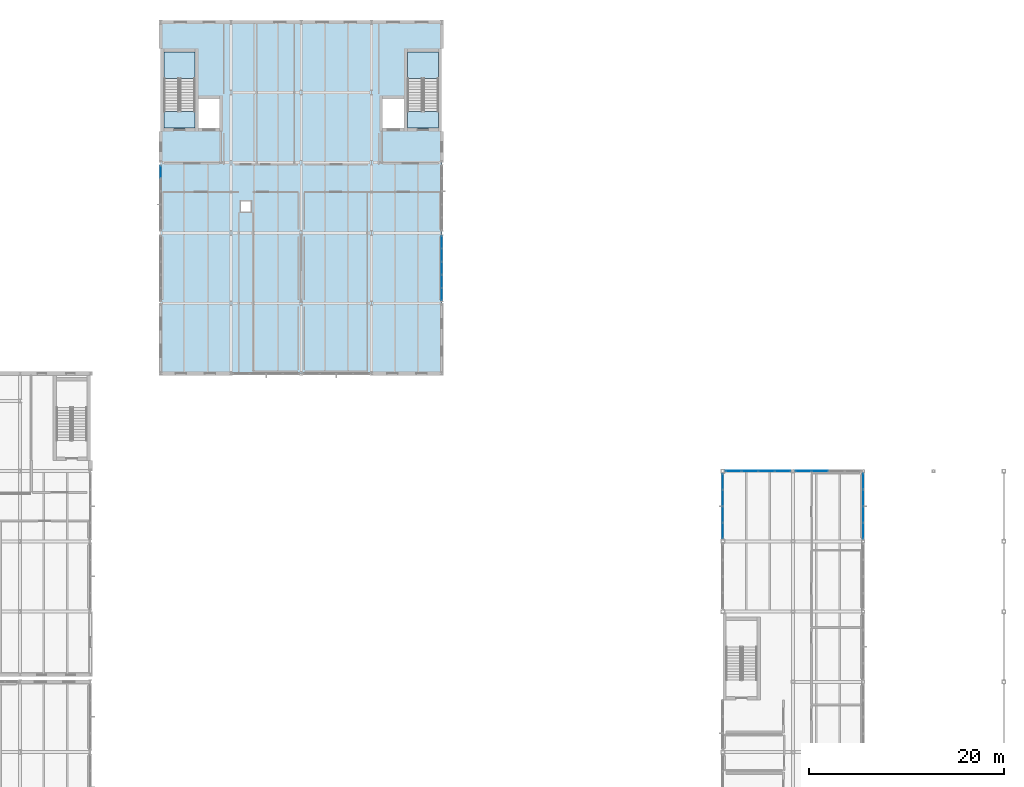
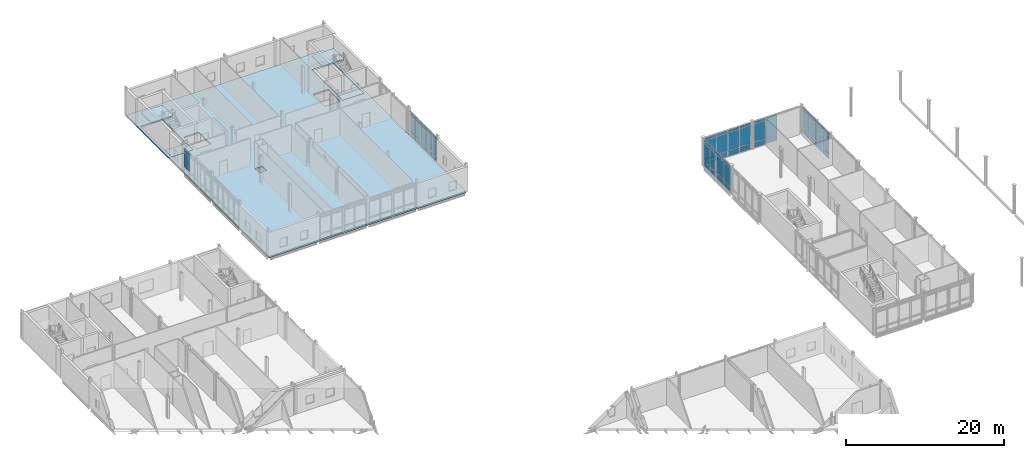
# One storey, part 41 of 76: 59 plates, 5 slabs, 8 elements without a shape of their own.
"""IFC4 building model written with IfcOpenShell, lengths in metres."""

from ifc_helpers import new_model, si_unit, direction, frame, origin, origin_2d, place, context, subcontext, project, spatial, polyline, rectangle, outline, extrude, material, layer, layer_set, type_object, element, aggregate, save


model = new_model("IFC4")

# Units and contexts
model_context = context("Model", 3, precision=1e-05, world=origin(), true_north=direction((0.0, 1.0)))
body_context = subcontext(model_context, "Body", "Model", "MODEL_VIEW")
ifc_project = project(units=[si_unit("LENGTHUNIT", "METRE"), si_unit("AREAUNIT", "SQUARE_METRE"), si_unit("VOLUMEUNIT", "CUBIC_METRE"), si_unit("PLANEANGLEUNIT", "RADIAN"), si_unit("MASSUNIT", "GRAM", prefix="KILO")], contexts=[model_context])

# Site, building, storey
site_placement = place(None, origin())
site = spatial("IfcSite", under=ifc_project, at=site_placement, CompositionType="ELEMENT")
building_placement = place(site_placement, origin())
building = spatial("IfcBuilding", under=site, at=building_placement, Name="Zarrinpeak Specialist Clinic", CompositionType="ELEMENT")
storey_placement = place(building_placement, frame((0.0, 0.0, 5.199951171875)))
storey = spatial("IfcBuildingStorey", under=building, at=storey_placement, Name="L01", CompositionType="ELEMENT", Elevation=5.199951171875)

# Curtain wall, plates
ifc_material_1 = material(Name="Anodised Aluminium Alloy 6063-T6", Category="aluminium")
ifc_layer_1 = layer(ifc_material_1, 0.199951171875)
ifc_layer_set_1 = layer_set([ifc_layer_1], Name="Anodised Aluminium Alloy 6063-T6")
curtain_wall_type_1 = type_object("IfcCurtainWallType", Name="CW-HALL", PredefinedType="NOTDEFINED", material=ifc_layer_set_1)
curtain_wall_1_placement = place(storey_placement, origin())
curtain_wall_1 = element("IfcCurtainWall", 1, at=curtain_wall_1_placement, inside=storey, type_object=curtain_wall_type_1, Name="L01 V3 Unitised Curtain Wall CW-L01-V3-100", PredefinedType="NOTDEFINED")
ifc_material_2 = material(Name="Double Low-E Insulated Glazing", Category="glass")
ifc_layer_2 = layer(ifc_material_2, 0.028076171875)
ifc_layer_set_2 = layer_set([ifc_layer_2], Name="Double Low-E Insulated Glazing")
plate_type_1 = type_object("IfcPlateType", Name="CWP-GLZ28", PredefinedType="CURTAIN_PANEL", material=ifc_layer_set_2)
plate_1_placement = place(storey_placement, frame((103.546630859375, 72.0, 0.09033203125), z_axis=(0.0, 0.0, 1.0), x_axis=(-1.0, 0.0, 0.0)))
plate_1 = element("IfcPlate", 2, at=plate_1_placement, type_object=plate_type_1, Name="CW-02 panel 3.1", PredefinedType="CURTAIN_PANEL", context=body_context, shape_type="SweptSolid", body=[
    extrude(rectangle(XDim=1.616455078125, YDim=0.028076171875, at=origin_2d()), origin(), (0.0, 0.0, 1.0), 0.764892578125),
])
plate_2_placement = place(storey_placement, frame((103.546630859375, 72.0, 0.945068359375), z_axis=(0.0, 0.0, 1.0), x_axis=(-1.0, 0.0, 0.0)))
plate_2 = element("IfcPlate", 3, at=plate_2_placement, type_object=plate_type_1, Name="CW-02 panel 3.2", PredefinedType="CURTAIN_PANEL", context=body_context, shape_type="SweptSolid", body=[
    extrude(rectangle(XDim=1.616455078125, YDim=0.028076171875, at=origin_2d()), origin(), (0.0, 0.0, 1.0), 2.7451171875),
])
plate_3_placement = place(storey_placement, frame((103.546630859375, 72.0, 3.780029296875), z_axis=(0.0, 0.0, 1.0), x_axis=(-1.0, 0.0, 0.0)))
plate_3 = element("IfcPlate", 4, at=plate_3_placement, type_object=plate_type_1, Name="CW-02 panel 3.3", PredefinedType="CURTAIN_PANEL", context=body_context, shape_type="SweptSolid", body=[
    extrude(rectangle(XDim=1.616455078125, YDim=0.028076171875, at=origin_2d()), origin(), (0.0, 0.0, 1.0), 0.31494140625),
])
plate_4_placement = place(storey_placement, frame((101.86279296875, 72.0, 0.09033203125), z_axis=(0.0, 0.0, 1.0), x_axis=(-1.0, 0.0, 0.0)))
plate_4 = element("IfcPlate", 5, at=plate_4_placement, type_object=plate_type_1, Name="CW-02 panel 4.1", PredefinedType="CURTAIN_PANEL", context=body_context, shape_type="SweptSolid", body=[
    extrude(rectangle(XDim=1.571533203125, YDim=0.028076171875, at=origin_2d()), origin(), (0.0, 0.0, 1.0), 0.764892578125),
])
plate_5_placement = place(storey_placement, frame((101.86279296875, 72.0, 0.945068359375), z_axis=(0.0, 0.0, 1.0), x_axis=(-1.0, 0.0, 0.0)))
plate_5 = element("IfcPlate", 6, at=plate_5_placement, type_object=plate_type_1, Name="CW-02 panel 4.2", PredefinedType="CURTAIN_PANEL", context=body_context, shape_type="SweptSolid", body=[
    extrude(rectangle(XDim=1.571533203125, YDim=0.028076171875, at=origin_2d()), origin(), (0.0, 0.0, 1.0), 2.7451171875),
])
plate_6_placement = place(storey_placement, frame((101.86279296875, 72.0, 3.780029296875), z_axis=(0.0, 0.0, 1.0), x_axis=(-1.0, 0.0, 0.0)))
plate_6 = element("IfcPlate", 7, at=plate_6_placement, type_object=plate_type_1, Name="CW-02 panel 4.3", PredefinedType="CURTAIN_PANEL", context=body_context, shape_type="SweptSolid", body=[
    extrude(rectangle(XDim=1.571533203125, YDim=0.028076171875, at=origin_2d()), origin(), (0.0, 0.0, 1.0), 0.31494140625),
])
aggregate(curtain_wall_1, [plate_1, plate_2, plate_3, plate_4, plate_5, plate_6])

curtain_wall_2_placement = place(storey_placement, origin())
curtain_wall_2 = element("IfcCurtainWall", 8, at=curtain_wall_2_placement, inside=storey, type_object=curtain_wall_type_1, Name="L01 V3 Unitised Curtain Wall CW-L01-V3-104", PredefinedType="NOTDEFINED")
plate_7_placement = place(storey_placement, frame((93.60009765625, 70.90625, 0.09033203125), z_axis=(0.0, 0.0, 1.0), x_axis=(0.0, -1.0, 0.0)))
plate_7 = element("IfcPlate", 9, at=plate_7_placement, type_object=plate_type_1, Name="CW-02 panel 1.1", PredefinedType="CURTAIN_PANEL", context=body_context, shape_type="SweptSolid", body=[
    extrude(rectangle(XDim=1.55078125, YDim=0.028076171875, at=origin_2d()), origin(), (0.0, 0.0, 1.0), 0.764892578125),
])
plate_8_placement = place(storey_placement, frame((93.60009765625, 70.90625, 0.945068359375), z_axis=(0.0, 0.0, 1.0), x_axis=(0.0, -1.0, 0.0)))
plate_8 = element("IfcPlate", 10, at=plate_8_placement, type_object=plate_type_1, Name="CW-02 panel 1.2", PredefinedType="CURTAIN_PANEL", context=body_context, shape_type="SweptSolid", body=[
    extrude(rectangle(XDim=1.55078125, YDim=0.028076171875, at=origin_2d()), origin(), (0.0, 0.0, 1.0), 2.7451171875),
])
plate_9_placement = place(storey_placement, frame((93.60009765625, 70.90625, 3.780029296875), z_axis=(0.0, 0.0, 1.0), x_axis=(0.0, -1.0, 0.0)))
plate_9 = element("IfcPlate", 11, at=plate_9_placement, type_object=plate_type_1, Name="CW-02 panel 1.3", PredefinedType="CURTAIN_PANEL", context=body_context, shape_type="SweptSolid", body=[
    extrude(rectangle(XDim=1.55078125, YDim=0.028076171875, at=origin_2d()), origin(), (0.0, 0.0, 1.0), 0.31494140625),
])
plate_10_placement = place(storey_placement, frame((93.60009765625, 69.242919921875, 0.09033203125), z_axis=(0.0, 0.0, 1.0), x_axis=(0.0, -1.0, 0.0)))
plate_10 = element("IfcPlate", 12, at=plate_10_placement, type_object=plate_type_1, Name="CW-02 panel 2.1", PredefinedType="CURTAIN_PANEL", context=body_context, shape_type="SweptSolid", body=[
    extrude(rectangle(XDim=1.595947265625, YDim=0.028076171875, at=origin_2d()), origin(), (0.0, 0.0, 1.0), 0.764892578125),
])
plate_11_placement = place(storey_placement, frame((93.60009765625, 69.242919921875, 0.945068359375), z_axis=(0.0, 0.0, 1.0), x_axis=(0.0, -1.0, 0.0)))
plate_11 = element("IfcPlate", 13, at=plate_11_placement, type_object=plate_type_1, Name="CW-02 panel 2.2", PredefinedType="CURTAIN_PANEL", context=body_context, shape_type="SweptSolid", body=[
    extrude(rectangle(XDim=1.595947265625, YDim=0.028076171875, at=origin_2d()), origin(), (0.0, 0.0, 1.0), 2.7451171875),
])
plate_12_placement = place(storey_placement, frame((93.60009765625, 69.242919921875, 3.780029296875), z_axis=(0.0, 0.0, 1.0), x_axis=(0.0, -1.0, 0.0)))
plate_12 = element("IfcPlate", 14, at=plate_12_placement, type_object=plate_type_1, Name="CW-02 panel 2.3", PredefinedType="CURTAIN_PANEL", context=body_context, shape_type="SweptSolid", body=[
    extrude(rectangle(XDim=1.595947265625, YDim=0.028076171875, at=origin_2d()), origin(), (0.0, 0.0, 1.0), 0.31494140625),
])
plate_13_placement = place(storey_placement, frame((93.60009765625, 67.55712890625, 0.09033203125), z_axis=(0.0, 0.0, 1.0), x_axis=(0.0, -1.0, 0.0)))
plate_13 = element("IfcPlate", 15, at=plate_13_placement, type_object=plate_type_1, Name="CW-02 panel 3.1", PredefinedType="CURTAIN_PANEL", context=body_context, shape_type="SweptSolid", body=[
    extrude(rectangle(XDim=1.595947265625, YDim=0.028076171875, at=origin_2d()), origin(), (0.0, 0.0, 1.0), 0.764892578125),
])
plate_14_placement = place(storey_placement, frame((93.60009765625, 67.55712890625, 0.945068359375), z_axis=(0.0, 0.0, 1.0), x_axis=(0.0, -1.0, 0.0)))
plate_14 = element("IfcPlate", 16, at=plate_14_placement, type_object=plate_type_1, Name="CW-02 panel 3.2", PredefinedType="CURTAIN_PANEL", context=body_context, shape_type="SweptSolid", body=[
    extrude(rectangle(XDim=1.595947265625, YDim=0.028076171875, at=origin_2d()), origin(), (0.0, 0.0, 1.0), 2.7451171875),
])
plate_15_placement = place(storey_placement, frame((93.60009765625, 67.55712890625, 3.780029296875), z_axis=(0.0, 0.0, 1.0), x_axis=(0.0, -1.0, 0.0)))
plate_15 = element("IfcPlate", 17, at=plate_15_placement, type_object=plate_type_1, Name="CW-02 panel 3.3", PredefinedType="CURTAIN_PANEL", context=body_context, shape_type="SweptSolid", body=[
    extrude(rectangle(XDim=1.595947265625, YDim=0.028076171875, at=origin_2d()), origin(), (0.0, 0.0, 1.0), 0.31494140625),
])
plate_16_placement = place(storey_placement, frame((93.60009765625, 65.8935546875, 0.09033203125), z_axis=(0.0, 0.0, 1.0), x_axis=(0.0, -1.0, 0.0)))
plate_16 = element("IfcPlate", 18, at=plate_16_placement, type_object=plate_type_1, Name="CW-02 panel 4.1", PredefinedType="CURTAIN_PANEL", context=body_context, shape_type="SweptSolid", body=[
    extrude(rectangle(XDim=1.55078125, YDim=0.028076171875, at=origin_2d()), origin(), (0.0, 0.0, 1.0), 0.764892578125),
])
plate_17_placement = place(storey_placement, frame((93.60009765625, 65.8935546875, 0.945068359375), z_axis=(0.0, 0.0, 1.0), x_axis=(0.0, -1.0, 0.0)))
plate_17 = element("IfcPlate", 19, at=plate_17_placement, type_object=plate_type_1, Name="CW-02 panel 4.2", PredefinedType="CURTAIN_PANEL", context=body_context, shape_type="SweptSolid", body=[
    extrude(rectangle(XDim=1.55078125, YDim=0.028076171875, at=origin_2d()), origin(), (0.0, 0.0, 1.0), 2.7451171875),
])
plate_18_placement = place(storey_placement, frame((93.60009765625, 65.8935546875, 3.780029296875), z_axis=(0.0, 0.0, 1.0), x_axis=(0.0, -1.0, 0.0)))
plate_18 = element("IfcPlate", 20, at=plate_18_placement, type_object=plate_type_1, Name="CW-02 panel 4.3", PredefinedType="CURTAIN_PANEL", context=body_context, shape_type="SweptSolid", body=[
    extrude(rectangle(XDim=1.55078125, YDim=0.028076171875, at=origin_2d()), origin(), (0.0, 0.0, 1.0), 0.31494140625),
])
aggregate(curtain_wall_2, [plate_7, plate_8, plate_9, plate_10, plate_11, plate_12, plate_13, plate_14, plate_15, plate_16, plate_17, plate_18])

curtain_wall_3_placement = place(storey_placement, origin())
curtain_wall_3 = element("IfcCurtainWall", 21, at=curtain_wall_3_placement, inside=storey, type_object=curtain_wall_type_1, Name="L01 V3 Unitised Curtain Wall CW-L01-V3-110", PredefinedType="NOTDEFINED")
plate_19_placement = place(storey_placement, frame((108.0, 65.86279296875, 0.09033203125), z_axis=(0.0, 0.0, 1.0), x_axis=(0.0, 1.0, 0.0)))
plate_19 = element("IfcPlate", 22, at=plate_19_placement, type_object=plate_type_1, Name="CW-02 panel 1.1", PredefinedType="CURTAIN_PANEL", context=body_context, shape_type="SweptSolid", body=[
    extrude(rectangle(XDim=1.571533203125, YDim=0.028076171875, at=origin_2d()), origin(), (0.0, 0.0, 1.0), 0.764892578125),
])
plate_20_placement = place(storey_placement, frame((108.0, 65.86279296875, 0.945068359375), z_axis=(0.0, 0.0, 1.0), x_axis=(0.0, 1.0, 0.0)))
plate_20 = element("IfcPlate", 23, at=plate_20_placement, type_object=plate_type_1, Name="CW-02 panel 1.2", PredefinedType="CURTAIN_PANEL", context=body_context, shape_type="SweptSolid", body=[
    extrude(rectangle(XDim=1.571533203125, YDim=0.028076171875, at=origin_2d()), origin(), (0.0, 0.0, 1.0), 2.7451171875),
])
plate_21_placement = place(storey_placement, frame((108.0, 65.86279296875, 3.780029296875), z_axis=(0.0, 0.0, 1.0), x_axis=(0.0, 1.0, 0.0)))
plate_21 = element("IfcPlate", 24, at=plate_21_placement, type_object=plate_type_1, Name="CW-02 panel 1.3", PredefinedType="CURTAIN_PANEL", context=body_context, shape_type="SweptSolid", body=[
    extrude(rectangle(XDim=1.571533203125, YDim=0.028076171875, at=origin_2d()), origin(), (0.0, 0.0, 1.0), 0.31494140625),
])
plate_22_placement = place(storey_placement, frame((108.0, 67.546630859375, 0.09033203125), z_axis=(0.0, 0.0, 1.0), x_axis=(0.0, 1.0, 0.0)))
plate_22 = element("IfcPlate", 25, at=plate_22_placement, type_object=plate_type_1, Name="CW-02 panel 2.1", PredefinedType="CURTAIN_PANEL", context=body_context, shape_type="SweptSolid", body=[
    extrude(rectangle(XDim=1.616455078125, YDim=0.028076171875, at=origin_2d()), origin(), (0.0, 0.0, 1.0), 0.764892578125),
])
plate_23_placement = place(storey_placement, frame((108.0, 67.546630859375, 0.945068359375), z_axis=(0.0, 0.0, 1.0), x_axis=(0.0, 1.0, 0.0)))
plate_23 = element("IfcPlate", 26, at=plate_23_placement, type_object=plate_type_1, Name="CW-02 panel 2.2", PredefinedType="CURTAIN_PANEL", context=body_context, shape_type="SweptSolid", body=[
    extrude(rectangle(XDim=1.616455078125, YDim=0.028076171875, at=origin_2d()), origin(), (0.0, 0.0, 1.0), 2.7451171875),
])
plate_24_placement = place(storey_placement, frame((108.0, 67.546630859375, 3.780029296875), z_axis=(0.0, 0.0, 1.0), x_axis=(0.0, 1.0, 0.0)))
plate_24 = element("IfcPlate", 27, at=plate_24_placement, type_object=plate_type_1, Name="CW-02 panel 2.3", PredefinedType="CURTAIN_PANEL", context=body_context, shape_type="SweptSolid", body=[
    extrude(rectangle(XDim=1.616455078125, YDim=0.028076171875, at=origin_2d()), origin(), (0.0, 0.0, 1.0), 0.31494140625),
])
plate_25_placement = place(storey_placement, frame((108.0, 69.253173828125, 0.09033203125), z_axis=(0.0, 0.0, 1.0), x_axis=(0.0, 1.0, 0.0)))
plate_25 = element("IfcPlate", 28, at=plate_25_placement, type_object=plate_type_1, Name="CW-02 panel 3.1", PredefinedType="CURTAIN_PANEL", context=body_context, shape_type="SweptSolid", body=[
    extrude(rectangle(XDim=1.616455078125, YDim=0.028076171875, at=origin_2d()), origin(), (0.0, 0.0, 1.0), 0.764892578125),
])
plate_26_placement = place(storey_placement, frame((108.0, 69.253173828125, 0.945068359375), z_axis=(0.0, 0.0, 1.0), x_axis=(0.0, 1.0, 0.0)))
plate_26 = element("IfcPlate", 29, at=plate_26_placement, type_object=plate_type_1, Name="CW-02 panel 3.2", PredefinedType="CURTAIN_PANEL", context=body_context, shape_type="SweptSolid", body=[
    extrude(rectangle(XDim=1.616455078125, YDim=0.028076171875, at=origin_2d()), origin(), (0.0, 0.0, 1.0), 2.7451171875),
])
plate_27_placement = place(storey_placement, frame((108.0, 69.253173828125, 3.780029296875), z_axis=(0.0, 0.0, 1.0), x_axis=(0.0, 1.0, 0.0)))
plate_27 = element("IfcPlate", 30, at=plate_27_placement, type_object=plate_type_1, Name="CW-02 panel 3.3", PredefinedType="CURTAIN_PANEL", context=body_context, shape_type="SweptSolid", body=[
    extrude(rectangle(XDim=1.616455078125, YDim=0.028076171875, at=origin_2d()), origin(), (0.0, 0.0, 1.0), 0.31494140625),
])
plate_28_placement = place(storey_placement, frame((108.0, 70.937255859375, 0.09033203125), z_axis=(0.0, 0.0, 1.0), x_axis=(0.0, 1.0, 0.0)))
plate_28 = element("IfcPlate", 31, at=plate_28_placement, type_object=plate_type_1, Name="CW-02 panel 4.1", PredefinedType="CURTAIN_PANEL", context=body_context, shape_type="SweptSolid", body=[
    extrude(rectangle(XDim=1.571533203125, YDim=0.028076171875, at=origin_2d()), origin(), (0.0, 0.0, 1.0), 0.764892578125),
])
plate_29_placement = place(storey_placement, frame((108.0, 70.937255859375, 0.945068359375), z_axis=(0.0, 0.0, 1.0), x_axis=(0.0, 1.0, 0.0)))
plate_29 = element("IfcPlate", 32, at=plate_29_placement, type_object=plate_type_1, Name="CW-02 panel 4.2", PredefinedType="CURTAIN_PANEL", context=body_context, shape_type="SweptSolid", body=[
    extrude(rectangle(XDim=1.571533203125, YDim=0.028076171875, at=origin_2d()), origin(), (0.0, 0.0, 1.0), 2.7451171875),
])
plate_30_placement = place(storey_placement, frame((108.0, 70.937255859375, 3.780029296875), z_axis=(0.0, 0.0, 1.0), x_axis=(0.0, 1.0, 0.0)))
plate_30 = element("IfcPlate", 33, at=plate_30_placement, type_object=plate_type_1, Name="CW-02 panel 4.3", PredefinedType="CURTAIN_PANEL", context=body_context, shape_type="SweptSolid", body=[
    extrude(rectangle(XDim=1.571533203125, YDim=0.028076171875, at=origin_2d()), origin(), (0.0, 0.0, 1.0), 0.31494140625),
])
aggregate(curtain_wall_3, [plate_19, plate_20, plate_21, plate_22, plate_23, plate_24, plate_25, plate_26, plate_27, plate_28, plate_29, plate_30])

ifc_layer_3 = layer(ifc_material_1, 0.1650390625)
ifc_layer_set_3 = layer_set([ifc_layer_3], Name="Anodised Aluminium Alloy 6063-T6")
curtain_wall_type_2 = type_object("IfcCurtainWallType", Name="CW-CLINIC", PredefinedType="NOTDEFINED", material=ifc_layer_set_3)
curtain_wall_4_placement = place(storey_placement, origin())
curtain_wall_4 = element("IfcCurtainWall", 34, at=curtain_wall_4_placement, inside=storey, type_object=curtain_wall_type_2, Name="L01 V6 Unitised Curtain Wall CW-L01-V6-138", PredefinedType="NOTDEFINED")
plate_31_placement = place(storey_placement, frame((36.0, 102.6611328125, 0.9375), z_axis=(0.0, 0.0, 1.0), x_axis=(0.0, -1.0, 0.0)))
plate_31 = element("IfcPlate", 35, at=plate_31_placement, type_object=plate_type_1, Name="CW-03 panel 1.2", PredefinedType="CURTAIN_PANEL", context=body_context, shape_type="SweptSolid", body=[
    extrude(rectangle(XDim=1.2275390625, YDim=0.028076171875, at=origin_2d()), origin(), (0.0, 0.0, 1.0), 2.385009765625),
])
plate_32_placement = place(storey_placement, frame((36.0, 102.6611328125, 3.397705078125), z_axis=(0.0, 0.0, 1.0), x_axis=(0.0, -1.0, 0.0)))
plate_32 = element("IfcPlate", 36, at=plate_32_placement, type_object=plate_type_1, Name="CW-03 panel 1.3", PredefinedType="CURTAIN_PANEL", context=body_context, shape_type="SweptSolid", body=[
    extrude(rectangle(XDim=1.2275390625, YDim=0.028076171875, at=origin_2d()), origin(), (0.0, 0.0, 1.0), 0.33740234375),
])
aggregate(curtain_wall_4, [plate_31, plate_32])

curtain_wall_5_placement = place(storey_placement, origin())
curtain_wall_5 = element("IfcCurtainWall", 37, at=curtain_wall_5_placement, inside=storey, type_object=curtain_wall_type_2, Name="L01 V6 Unitised Curtain Wall CW-L01-V6-139", PredefinedType="NOTDEFINED")
plate_33_placement = place(storey_placement, frame((64.800048828125, 90.1162109375, 0.074951171875), z_axis=(0.0, 0.0, 1.0), x_axis=(0.0, 1.0, 0.0)))
plate_33 = element("IfcPlate", 38, at=plate_33_placement, type_object=plate_type_1, Name="CW-03 panel 1.1", PredefinedType="CURTAIN_PANEL", context=body_context, shape_type="SweptSolid", body=[
    extrude(rectangle(XDim=1.232421875, YDim=0.028076171875, at=origin_2d()), origin(), (0.0, 0.0, 1.0), 0.78759765625),
])
plate_34_placement = place(storey_placement, frame((64.800048828125, 90.1162109375, 0.9375), z_axis=(0.0, 0.0, 1.0), x_axis=(0.0, 1.0, 0.0)))
plate_34 = element("IfcPlate", 39, at=plate_34_placement, type_object=plate_type_1, Name="CW-03 panel 1.2", PredefinedType="CURTAIN_PANEL", context=body_context, shape_type="SweptSolid", body=[
    extrude(rectangle(XDim=1.232421875, YDim=0.028076171875, at=origin_2d()), origin(), (0.0, 0.0, 1.0), 2.385009765625),
])
plate_35_placement = place(storey_placement, frame((64.800048828125, 90.1162109375, 3.397705078125), z_axis=(0.0, 0.0, 1.0), x_axis=(0.0, 1.0, 0.0)))
plate_35 = element("IfcPlate", 40, at=plate_35_placement, type_object=plate_type_1, Name="CW-03 panel 1.3", PredefinedType="CURTAIN_PANEL", context=body_context, shape_type="SweptSolid", body=[
    extrude(rectangle(XDim=1.232421875, YDim=0.028076171875, at=origin_2d()), origin(), (0.0, 0.0, 1.0), 0.33740234375),
])
plate_36_placement = place(storey_placement, frame((64.800048828125, 91.4423828125, 0.074951171875), z_axis=(0.0, 0.0, 1.0), x_axis=(0.0, 1.0, 0.0)))
plate_36 = element("IfcPlate", 41, at=plate_36_placement, type_object=plate_type_1, Name="CW-03 panel 2.1", PredefinedType="CURTAIN_PANEL", context=body_context, shape_type="SweptSolid", body=[
    extrude(rectangle(XDim=1.27001953125, YDim=0.028076171875, at=origin_2d()), origin(), (0.0, 0.0, 1.0), 0.78759765625),
])
plate_37_placement = place(storey_placement, frame((64.800048828125, 91.4423828125, 0.9375), z_axis=(0.0, 0.0, 1.0), x_axis=(0.0, 1.0, 0.0)))
plate_37 = element("IfcPlate", 42, at=plate_37_placement, type_object=plate_type_1, Name="CW-03 panel 2.2", PredefinedType="CURTAIN_PANEL", context=body_context, shape_type="SweptSolid", body=[
    extrude(rectangle(XDim=1.27001953125, YDim=0.028076171875, at=origin_2d()), origin(), (0.0, 0.0, 1.0), 2.385009765625),
])
plate_38_placement = place(storey_placement, frame((64.800048828125, 91.4423828125, 3.397705078125), z_axis=(0.0, 0.0, 1.0), x_axis=(0.0, 1.0, 0.0)))
plate_38 = element("IfcPlate", 43, at=plate_38_placement, type_object=plate_type_1, Name="CW-03 panel 2.3", PredefinedType="CURTAIN_PANEL", context=body_context, shape_type="SweptSolid", body=[
    extrude(rectangle(XDim=1.27001953125, YDim=0.028076171875, at=origin_2d()), origin(), (0.0, 0.0, 1.0), 0.33740234375),
])
plate_39_placement = place(storey_placement, frame((64.800048828125, 92.78759765625, 0.074951171875), z_axis=(0.0, 0.0, 1.0), x_axis=(0.0, 1.0, 0.0)))
plate_39 = element("IfcPlate", 44, at=plate_39_placement, type_object=plate_type_1, Name="CW-03 panel 3.1", PredefinedType="CURTAIN_PANEL", context=body_context, shape_type="SweptSolid", body=[
    extrude(rectangle(XDim=1.27001953125, YDim=0.028076171875, at=origin_2d()), origin(), (0.0, 0.0, 1.0), 0.78759765625),
])
plate_40_placement = place(storey_placement, frame((64.800048828125, 92.78759765625, 0.9375), z_axis=(0.0, 0.0, 1.0), x_axis=(0.0, 1.0, 0.0)))
plate_40 = element("IfcPlate", 45, at=plate_40_placement, type_object=plate_type_1, Name="CW-03 panel 3.2", PredefinedType="CURTAIN_PANEL", context=body_context, shape_type="SweptSolid", body=[
    extrude(rectangle(XDim=1.27001953125, YDim=0.028076171875, at=origin_2d()), origin(), (0.0, 0.0, 1.0), 2.385009765625),
])
plate_41_placement = place(storey_placement, frame((64.800048828125, 92.78759765625, 3.397705078125), z_axis=(0.0, 0.0, 1.0), x_axis=(0.0, 1.0, 0.0)))
plate_41 = element("IfcPlate", 46, at=plate_41_placement, type_object=plate_type_1, Name="CW-03 panel 3.3", PredefinedType="CURTAIN_PANEL", context=body_context, shape_type="SweptSolid", body=[
    extrude(rectangle(XDim=1.27001953125, YDim=0.028076171875, at=origin_2d()), origin(), (0.0, 0.0, 1.0), 0.33740234375),
])
plate_42_placement = place(storey_placement, frame((64.800048828125, 94.132568359375, 0.074951171875), z_axis=(0.0, 0.0, 1.0), x_axis=(0.0, 1.0, 0.0)))
plate_42 = element("IfcPlate", 47, at=plate_42_placement, type_object=plate_type_1, Name="CW-03 panel 4.1", PredefinedType="CURTAIN_PANEL", context=body_context, shape_type="SweptSolid", body=[
    extrude(rectangle(XDim=1.27001953125, YDim=0.028076171875, at=origin_2d()), origin(), (0.0, 0.0, 1.0), 0.78759765625),
])
plate_43_placement = place(storey_placement, frame((64.800048828125, 94.132568359375, 0.9375), z_axis=(0.0, 0.0, 1.0), x_axis=(0.0, 1.0, 0.0)))
plate_43 = element("IfcPlate", 48, at=plate_43_placement, type_object=plate_type_1, Name="CW-03 panel 4.2", PredefinedType="CURTAIN_PANEL", context=body_context, shape_type="SweptSolid", body=[
    extrude(rectangle(XDim=1.27001953125, YDim=0.028076171875, at=origin_2d()), origin(), (0.0, 0.0, 1.0), 2.385009765625),
])
plate_44_placement = place(storey_placement, frame((64.800048828125, 94.132568359375, 3.397705078125), z_axis=(0.0, 0.0, 1.0), x_axis=(0.0, 1.0, 0.0)))
plate_44 = element("IfcPlate", 49, at=plate_44_placement, type_object=plate_type_1, Name="CW-03 panel 4.3", PredefinedType="CURTAIN_PANEL", context=body_context, shape_type="SweptSolid", body=[
    extrude(rectangle(XDim=1.27001953125, YDim=0.028076171875, at=origin_2d()), origin(), (0.0, 0.0, 1.0), 0.33740234375),
])
plate_45_placement = place(storey_placement, frame((64.800048828125, 95.458740234375, 0.074951171875), z_axis=(0.0, 0.0, 1.0), x_axis=(0.0, 1.0, 0.0)))
plate_45 = element("IfcPlate", 50, at=plate_45_placement, type_object=plate_type_1, Name="CW-03 panel 5.1", PredefinedType="CURTAIN_PANEL", context=body_context, shape_type="SweptSolid", body=[
    extrude(rectangle(XDim=1.232421875, YDim=0.028076171875, at=origin_2d()), origin(), (0.0, 0.0, 1.0), 0.78759765625),
])
plate_46_placement = place(storey_placement, frame((64.800048828125, 95.458740234375, 0.9375), z_axis=(0.0, 0.0, 1.0), x_axis=(0.0, 1.0, 0.0)))
plate_46 = element("IfcPlate", 51, at=plate_46_placement, type_object=plate_type_1, Name="CW-03 panel 5.2", PredefinedType="CURTAIN_PANEL", context=body_context, shape_type="SweptSolid", body=[
    extrude(rectangle(XDim=1.232421875, YDim=0.028076171875, at=origin_2d()), origin(), (0.0, 0.0, 1.0), 2.385009765625),
])
plate_47_placement = place(storey_placement, frame((64.800048828125, 95.458740234375, 3.397705078125), z_axis=(0.0, 0.0, 1.0), x_axis=(0.0, 1.0, 0.0)))
plate_47 = element("IfcPlate", 52, at=plate_47_placement, type_object=plate_type_1, Name="CW-03 panel 5.3", PredefinedType="CURTAIN_PANEL", context=body_context, shape_type="SweptSolid", body=[
    extrude(rectangle(XDim=1.232421875, YDim=0.028076171875, at=origin_2d()), origin(), (0.0, 0.0, 1.0), 0.33740234375),
])
aggregate(curtain_wall_5, [plate_33, plate_34, plate_35, plate_36, plate_37, plate_38, plate_39, plate_40, plate_41, plate_42, plate_43, plate_44, plate_45, plate_46, plate_47])

curtain_wall_6_placement = place(storey_placement, origin())
curtain_wall_6 = element("IfcCurtainWall", 53, at=curtain_wall_6_placement, inside=storey, type_object=curtain_wall_type_1, Name="L01 V3 Unitised Curtain Wall CW-L01-V3-099", PredefinedType="NOTDEFINED")
ifc_material_3 = material(Name="Insulated Aluminium Spandrel Panel", Category="aluminium")
ifc_layer_4 = layer(ifc_material_3, 0.044921875)
ifc_layer_set_4 = layer_set([ifc_layer_4], Name="Insulated Aluminium Spandrel Panel")
plate_type_2 = type_object("IfcPlateType", Name="CWP-SPN45", PredefinedType="CURTAIN_PANEL", material=ifc_layer_set_4)
plate_48_placement = place(storey_placement, frame((99.742431640625, 72.0, 0.09033203125), z_axis=(0.0, 0.0, 1.0), x_axis=(-1.0, 0.0, 0.0)))
plate_48 = element("IfcPlate", 54, at=plate_48_placement, type_object=plate_type_2, Name="CW-02 panel 1.1", PredefinedType="CURTAIN_PANEL", context=body_context, shape_type="SweptSolid", body=[
    extrude(rectangle(XDim=1.561279296875, YDim=0.044921875, at=origin_2d()), origin(), (0.0, 0.0, 1.0), 0.764892578125),
])
plate_49_placement = place(storey_placement, frame((99.742431640625, 72.0, 0.945068359375), z_axis=(0.0, 0.0, 1.0), x_axis=(-1.0, 0.0, 0.0)))
plate_49 = element("IfcPlate", 55, at=plate_49_placement, type_object=plate_type_2, Name="CW-02 panel 1.2", PredefinedType="CURTAIN_PANEL", context=body_context, shape_type="SweptSolid", body=[
    extrude(rectangle(XDim=1.561279296875, YDim=0.044921875, at=origin_2d()), origin(), (0.0, 0.0, 1.0), 2.7451171875),
])
plate_50_placement = place(storey_placement, frame((99.742431640625, 72.0, 3.780029296875), z_axis=(0.0, 0.0, 1.0), x_axis=(-1.0, 0.0, 0.0)))
plate_50 = element("IfcPlate", 56, at=plate_50_placement, type_object=plate_type_2, Name="CW-02 panel 1.3", PredefinedType="CURTAIN_PANEL", context=body_context, shape_type="SweptSolid", body=[
    extrude(rectangle(XDim=1.561279296875, YDim=0.044921875, at=origin_2d()), origin(), (0.0, 0.0, 1.0), 0.31494140625),
])
plate_51_placement = place(storey_placement, frame((98.06884765625, 72.0, 0.09033203125), z_axis=(0.0, 0.0, 1.0), x_axis=(-1.0, 0.0, 0.0)))
plate_51 = element("IfcPlate", 57, at=plate_51_placement, type_object=plate_type_2, Name="CW-02 panel 2.1", PredefinedType="CURTAIN_PANEL", context=body_context, shape_type="SweptSolid", body=[
    extrude(rectangle(XDim=1.606201171875, YDim=0.044921875, at=origin_2d()), origin(), (0.0, 0.0, 1.0), 0.764892578125),
])
plate_52_placement = place(storey_placement, frame((98.06884765625, 72.0, 0.945068359375), z_axis=(0.0, 0.0, 1.0), x_axis=(-1.0, 0.0, 0.0)))
plate_52 = element("IfcPlate", 58, at=plate_52_placement, type_object=plate_type_2, Name="CW-02 panel 2.2", PredefinedType="CURTAIN_PANEL", context=body_context, shape_type="SweptSolid", body=[
    extrude(rectangle(XDim=1.606201171875, YDim=0.044921875, at=origin_2d()), origin(), (0.0, 0.0, 1.0), 2.7451171875),
])
plate_53_placement = place(storey_placement, frame((98.06884765625, 72.0, 3.780029296875), z_axis=(0.0, 0.0, 1.0), x_axis=(-1.0, 0.0, 0.0)))
plate_53 = element("IfcPlate", 59, at=plate_53_placement, type_object=plate_type_2, Name="CW-02 panel 2.3", PredefinedType="CURTAIN_PANEL", context=body_context, shape_type="SweptSolid", body=[
    extrude(rectangle(XDim=1.606201171875, YDim=0.044921875, at=origin_2d()), origin(), (0.0, 0.0, 1.0), 0.31494140625),
])
plate_54_placement = place(storey_placement, frame((96.37255859375, 72.0, 0.09033203125), z_axis=(0.0, 0.0, 1.0), x_axis=(-1.0, 0.0, 0.0)))
plate_54 = element("IfcPlate", 60, at=plate_54_placement, type_object=plate_type_2, Name="CW-02 panel 3.1", PredefinedType="CURTAIN_PANEL", context=body_context, shape_type="SweptSolid", body=[
    extrude(rectangle(XDim=1.606201171875, YDim=0.044921875, at=origin_2d()), origin(), (0.0, 0.0, 1.0), 0.764892578125),
])
plate_55_placement = place(storey_placement, frame((96.37255859375, 72.0, 0.945068359375), z_axis=(0.0, 0.0, 1.0), x_axis=(-1.0, 0.0, 0.0)))
plate_55 = element("IfcPlate", 61, at=plate_55_placement, type_object=plate_type_2, Name="CW-02 panel 3.2", PredefinedType="CURTAIN_PANEL", context=body_context, shape_type="SweptSolid", body=[
    extrude(rectangle(XDim=1.606201171875, YDim=0.044921875, at=origin_2d()), origin(), (0.0, 0.0, 1.0), 2.7451171875),
])
plate_56_placement = place(storey_placement, frame((96.37255859375, 72.0, 3.780029296875), z_axis=(0.0, 0.0, 1.0), x_axis=(-1.0, 0.0, 0.0)))
plate_56 = element("IfcPlate", 62, at=plate_56_placement, type_object=plate_type_2, Name="CW-02 panel 3.3", PredefinedType="CURTAIN_PANEL", context=body_context, shape_type="SweptSolid", body=[
    extrude(rectangle(XDim=1.606201171875, YDim=0.044921875, at=origin_2d()), origin(), (0.0, 0.0, 1.0), 0.31494140625),
])
plate_57_placement = place(storey_placement, frame((94.69873046875, 72.0, 0.09033203125), z_axis=(0.0, 0.0, 1.0), x_axis=(-1.0, 0.0, 0.0)))
plate_57 = element("IfcPlate", 63, at=plate_57_placement, type_object=plate_type_2, Name="CW-02 panel 4.1", PredefinedType="CURTAIN_PANEL", context=body_context, shape_type="SweptSolid", body=[
    extrude(rectangle(XDim=1.561279296875, YDim=0.044921875, at=origin_2d()), origin(), (0.0, 0.0, 1.0), 0.764892578125),
])
plate_58_placement = place(storey_placement, frame((94.69873046875, 72.0, 0.945068359375), z_axis=(0.0, 0.0, 1.0), x_axis=(-1.0, 0.0, 0.0)))
plate_58 = element("IfcPlate", 64, at=plate_58_placement, type_object=plate_type_2, Name="CW-02 panel 4.2", PredefinedType="CURTAIN_PANEL", context=body_context, shape_type="SweptSolid", body=[
    extrude(rectangle(XDim=1.561279296875, YDim=0.044921875, at=origin_2d()), origin(), (0.0, 0.0, 1.0), 2.7451171875),
])
plate_59_placement = place(storey_placement, frame((94.69873046875, 72.0, 3.780029296875), z_axis=(0.0, 0.0, 1.0), x_axis=(-1.0, 0.0, 0.0)))
plate_59 = element("IfcPlate", 65, at=plate_59_placement, type_object=plate_type_2, Name="CW-02 panel 4.3", PredefinedType="CURTAIN_PANEL", context=body_context, shape_type="SweptSolid", body=[
    extrude(rectangle(XDim=1.561279296875, YDim=0.044921875, at=origin_2d()), origin(), (0.0, 0.0, 1.0), 0.31494140625),
])
aggregate(curtain_wall_6, [plate_48, plate_49, plate_50, plate_51, plate_52, plate_53, plate_54, plate_55, plate_56, plate_57, plate_58, plate_59])

# Slabs
ifc_material_4 = material(Name="Concrete C35/45", Category="concrete")
ifc_layer_5 = layer(ifc_material_4, 0.22998046875)
ifc_layer_set_5 = layer_set([ifc_layer_5], Name="Concrete C35/45")
slab_type_1 = type_object("IfcSlabType", Name="SL-FLR230", PredefinedType="FLOOR", material=ifc_layer_set_5)
slab_1_placement = place(storey_placement, frame((0.0, 0.0, -0.22998046875)))
element("IfcSlab", 66, at=slab_1_placement, inside=storey, type_object=slab_type_1, Name="L01 Suspended Clinical Floor Slab V6", PredefinedType="FLOOR", context=body_context, shape_type="SweptSolid", body=[
    extrude(outline(polyline([(36.0, 82.0), (64.800048828125, 82.0), (64.800048828125, 118.0), (36.0, 118.0), (36.0, 82.0)]), holes=[polyline([(36.35009765625, 107.14990234375), (39.5, 107.14990234375), (39.5, 114.949951171875), (36.35009765625, 114.949951171875), (36.35009765625, 107.14990234375)]), polyline([(39.85009765625, 107.14990234375), (42.050048828125, 107.14990234375), (42.050048828125, 110.14990234375), (39.85009765625, 110.14990234375), (39.85009765625, 107.14990234375)]), polyline([(61.300048828125, 107.14990234375), (64.449951171875, 107.14990234375), (64.449951171875, 114.949951171875), (61.300048828125, 114.949951171875), (61.300048828125, 107.14990234375)]), polyline([(58.75, 107.14990234375), (60.949951171875, 107.14990234375), (60.949951171875, 110.14990234375), (58.75, 110.14990234375), (58.75, 107.14990234375)]), polyline([(44.199951171875, 98.60009765625), (45.25, 98.60009765625), (45.25, 99.64990234375), (44.199951171875, 99.64990234375), (44.199951171875, 98.60009765625)])]), origin(), (0.0, 0.0, 1.0), 0.22998046875),
])
slab_2_placement = place(storey_placement, frame((0.0, 0.0, -0.22998046875)))
element("IfcSlab", 67, at=slab_2_placement, inside=storey, type_object=slab_type_1, Name="L01 Core C11 Stairwell Floor Landing Slab", PredefinedType="FLOOR", context=body_context, shape_type="SweptSolid", body=[
    extrude(outline(polyline([(36.35009765625, 107.14990234375), (39.5, 107.14990234375), (39.5, 108.85009765625), (36.35009765625, 108.85009765625), (36.35009765625, 107.14990234375)])), origin(), (0.0, 0.0, 1.0), 0.22998046875),
])
slab_3_placement = place(storey_placement, frame((0.0, 0.0, -0.22998046875)))
element("IfcSlab", 68, at=slab_3_placement, inside=storey, type_object=slab_type_1, Name="L01 Core C12 Stairwell Floor Landing Slab", PredefinedType="FLOOR", context=body_context, shape_type="SweptSolid", body=[
    extrude(outline(polyline([(61.300048828125, 107.14990234375), (64.449951171875, 107.14990234375), (64.449951171875, 108.85009765625), (61.300048828125, 108.85009765625), (61.300048828125, 107.14990234375)])), origin(), (0.0, 0.0, 1.0), 0.22998046875),
])

# Stair, slab
stair_type = type_object("IfcStairType", Name="ST-DOG", PredefinedType="HALF_TURN_STAIR", material=ifc_material_4)
stair_1_placement = place(storey_placement, origin())
stair_1 = element("IfcStair", 69, at=stair_1_placement, inside=storey, type_object=stair_type, Name="L01 Protected Exit Stair ST-11", PredefinedType="HALF_TURN_STAIR")
ifc_layer_6 = layer(ifc_material_4, 0.199951171875)
ifc_layer_set_6 = layer_set([ifc_layer_6], Name="Concrete C35/45")
slab_type_2 = type_object("IfcSlabType", Name="SL-LAND200", PredefinedType="LANDING", material=ifc_layer_set_6)
slab_4_placement = place(storey_placement, frame((0.0, 0.0, 2.0)))
slab_4 = element("IfcSlab", 70, at=slab_4_placement, type_object=slab_type_2, Name="ST-11 landing 1", PredefinedType="LANDING", context=body_context, shape_type="SweptSolid", body=[
    extrude(outline(polyline([(39.5, 112.2099609375), (39.5, 114.949951171875), (36.35009765625, 114.949951171875), (36.35009765625, 112.2099609375), (39.5, 112.2099609375)])), origin(), (0.0, 0.0, 1.0), 0.199951171875),
])
aggregate(stair_1, [slab_4])

stair_2_placement = place(storey_placement, origin())
stair_2 = element("IfcStair", 71, at=stair_2_placement, inside=storey, type_object=stair_type, Name="L01 Protected Exit Stair ST-12", PredefinedType="HALF_TURN_STAIR")
slab_5_placement = place(storey_placement, frame((0.0, 0.0, 2.0)))
slab_5 = element("IfcSlab", 72, at=slab_5_placement, type_object=slab_type_2, Name="ST-12 landing 1", PredefinedType="LANDING", context=body_context, shape_type="SweptSolid", body=[
    extrude(outline(polyline([(64.449951171875, 112.2099609375), (64.449951171875, 114.949951171875), (61.300048828125, 114.949951171875), (61.300048828125, 112.2099609375), (64.449951171875, 112.2099609375)])), origin(), (0.0, 0.0, 1.0), 0.199951171875),
])
aggregate(stair_2, [slab_5])

save(model, "model.ifc")
